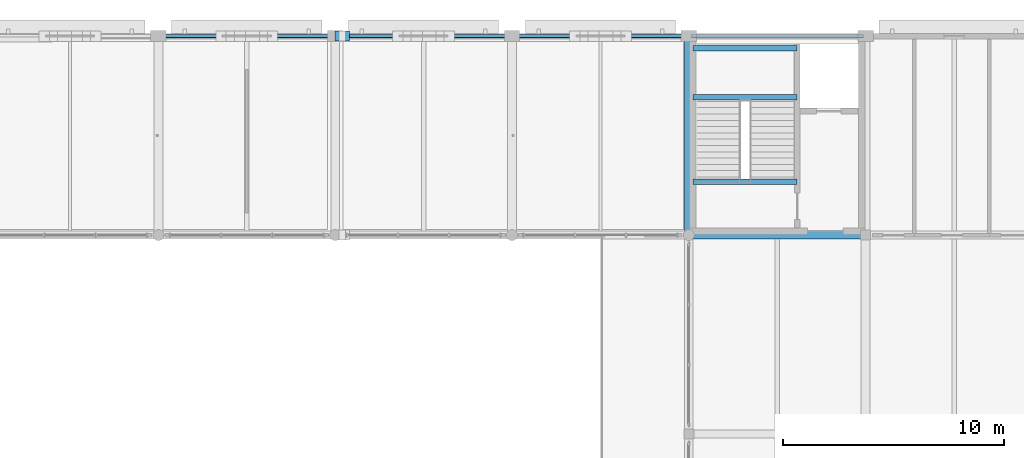
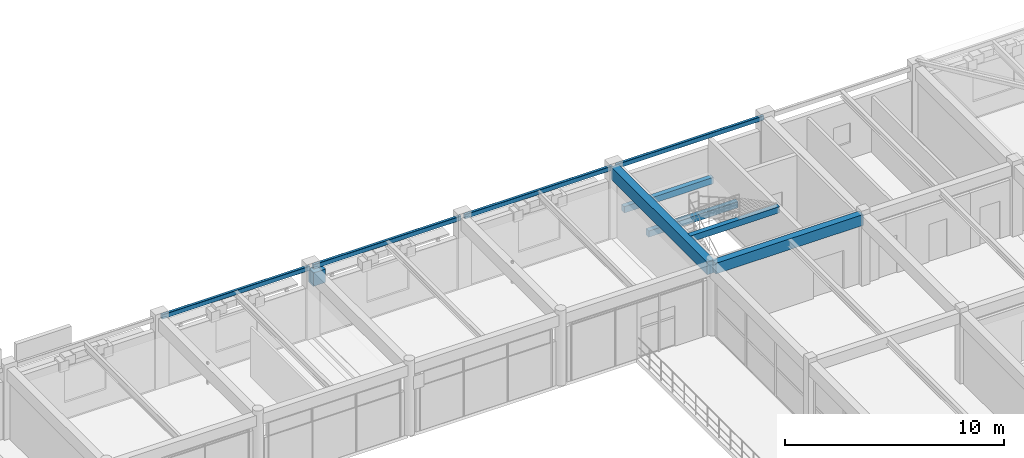
# One storey, part 61 of 126: 10 beams.
"""IFC4 building model written with IfcOpenShell, lengths in metres."""

from ifc_helpers import new_model, si_unit, direction, frame, origin, origin_2d, place, context, subcontext, project, spatial, rectangle, hollow_rectangle, extrude, material, material_profile, profile_set, type_object, element, save


model = new_model("IFC4")

# Units and contexts
model_context = context("Model", 3, precision=1e-05, world=origin(), true_north=direction((0.0, 1.0)))
body_context = subcontext(model_context, "Body", "Model", "MODEL_VIEW")
ifc_project = project(units=[si_unit("LENGTHUNIT", "METRE"), si_unit("AREAUNIT", "SQUARE_METRE"), si_unit("VOLUMEUNIT", "CUBIC_METRE"), si_unit("PLANEANGLEUNIT", "RADIAN"), si_unit("MASSUNIT", "GRAM", prefix="KILO")], contexts=[model_context])

# Site, building, storey
site_placement = place(None, origin())
site = spatial("IfcSite", under=ifc_project, at=site_placement, CompositionType="ELEMENT")
building_placement = place(site_placement, origin())
building = spatial("IfcBuilding", under=site, at=building_placement, Name="Varnabhumi Central Station", CompositionType="ELEMENT")
storey_placement = place(building_placement, frame((0.0, 0.0, 16.199951171875)))
storey = spatial("IfcBuildingStorey", under=building, at=storey_placement, Name="L03", CompositionType="ELEMENT", Elevation=16.199951171875)

# Beams
ifc_material_1 = material(Name="Structural steel E350", Category="steel")
ifc_material_profile_1 = material_profile(ifc_material_1, hollow_rectangle(XDim=0.14990234375, YDim=0.25, WallThickness=0.010009765625, InnerFilletRadius=0.010009765625, OuterFilletRadius=0.02001953125, at=origin_2d()), Name="Structural steel E350", Category="steel")
ifc_profile_set_1 = profile_set([ifc_material_profile_1], Name="Structural steel E350")
beam_type_1 = type_object("IfcBeamType", Name="BM-EDGE-RHS250", PredefinedType="SPANDREL", material=ifc_profile_set_1)
for number, where, z_axis, x_axis, name in (
    (1, (56.10009765625, 116.0, 3.824951171875), (1.0, 0.0, 0.0), (0.0, 1.0, 0.0), "Beam L03-P:8-9"),
    (2, (64.10009765625, 116.0, 3.824951171875), (1.0, 0.0, 0.0), (0.0, 1.0, 0.0), "Beam L03-P:9-10"),
    (3, (72.10009765625, 116.0, 3.824951171875), (1.0, 0.0, 0.0), (0.0, 1.0, 0.0), "Beam L03-P:10-11"),
    (4, (80.10009765625, 116.0, 3.824951171875), (1.0, 0.0, 0.0), (0.0, 1.0, 0.0), "Beam L03-P:11-12"),
):
    element("IfcBeam", number, at=place(storey_placement, frame(where, z_axis=z_axis, x_axis=x_axis)), inside=storey, type_object=beam_type_1, Name=name, PredefinedType="SPANDREL", context=body_context, shape_type="SweptSolid", body=[
        extrude(hollow_rectangle(XDim=0.14990234375, YDim=0.25, WallThickness=0.010009765625, InnerFilletRadius=0.010009765625, OuterFilletRadius=0.02001953125, at=origin_2d()), origin(), (0.0, 0.0, 1.0), 7.7998046875),
    ])
ifc_material_2 = material(Name="Concrete M35", Category="concrete")
ifc_material_profile_2 = material_profile(ifc_material_2, rectangle(XDim=0.25, YDim=0.35009765625, at=origin_2d()), Name="Concrete M35", Category="concrete")
ifc_profile_set_2 = profile_set([ifc_material_profile_2], Name="Concrete M35")
beam_type_2 = type_object("IfcBeamType", Name="BM-RC-250x350", PredefinedType="LINTEL", material=ifc_profile_set_2)
for number, where, z_axis, x_axis, name in (
    (5, (80.179931640625, 113.22509765625, 1.7451171875), (1.0, 0.0, 0.0), (0.0, 1.0, 0.0), "ST-N2 L03 Half Landing Support Beam 1"),
    (6, (80.179931640625, 115.4599609375, 1.7451171875), (1.0, 0.0, 0.0), (0.0, 1.0, 0.0), "ST-N2 L03 Half Landing Support Beam 2"),
    (7, (80.179931640625, 109.419921875, 3.775146484375), (1.0, 0.0, 0.0), (0.0, 1.0, 0.0), "ST-N2 L03 Floor Opening Trimmer Beam"),
):
    element("IfcBeam", number, at=place(storey_placement, frame(where, z_axis=z_axis, x_axis=x_axis)), inside=storey, type_object=beam_type_2, Name=name, PredefinedType="LINTEL", context=body_context, shape_type="SweptSolid", body=[
        extrude(rectangle(XDim=0.25, YDim=0.35009765625, at=origin_2d()), origin(), (0.0, 0.0, 1.0), 4.719970703125),
    ])
ifc_material_3 = material(Name="Concrete M40", Category="concrete")
ifc_material_profile_3 = material_profile(ifc_material_3, rectangle(XDim=0.35009765625, YDim=0.60009765625, at=origin_2d()), Name="Concrete M40", Category="concrete")
ifc_profile_set_3 = profile_set([ifc_material_profile_3], Name="Concrete M40")
beam_type_3 = type_object("IfcBeamType", Name="BM-RC-350x600", PredefinedType="BEAM", material=ifc_profile_set_3)
beam_1_placement = place(storey_placement, frame((80.10009765625, 107.0, 3.650146484375), z_axis=(1.0, 0.0, 0.0), x_axis=(0.0, 1.0, 0.0)))
element("IfcBeam", 8, at=beam_1_placement, inside=storey, type_object=beam_type_3, Name="Beam L03-N:11-12", PredefinedType="BEAM", context=body_context, shape_type="SweptSolid", body=[
    extrude(rectangle(XDim=0.35009765625, YDim=0.60009765625, at=origin_2d()), origin(), (0.0, 0.0, 1.0), 7.7998046875),
])
ifc_material_profile_4 = material_profile(ifc_material_3, rectangle(XDim=0.449951171875, YDim=0.75, at=origin_2d()), Name="Concrete M40", Category="concrete")
ifc_profile_set_4 = profile_set([ifc_material_profile_4], Name="Concrete M40")
beam_type_4 = type_object("IfcBeamType", Name="BM-RC-450x750", PredefinedType="BEAM", material=ifc_profile_set_4)
beam_2_placement = place(storey_placement, frame((64.0, 116.0, 3.2451171875), z_axis=(1.0, 0.0, 0.0), x_axis=(0.0, 1.0, 0.0)))
element("IfcBeam", 9, at=beam_2_placement, inside=storey, type_object=beam_type_4, Name="Movement Joint 650mm Corbel Seat L03-P-9", PredefinedType="BEAM", context=body_context, shape_type="SweptSolid", body=[
    extrude(rectangle(XDim=0.449951171875, YDim=0.75, at=origin_2d()), origin(), (0.0, 0.0, 1.0), 0.64990234375),
])
ifc_material_profile_5 = material_profile(ifc_material_3, rectangle(XDim=0.39990234375, YDim=0.699951171875, at=origin_2d()), Name="Concrete M40", Category="concrete")
ifc_profile_set_5 = profile_set([ifc_material_profile_5], Name="Concrete M40")
beam_type_5 = type_object("IfcBeamType", Name="BM-RC-700x400", PredefinedType="BEAM", material=ifc_profile_set_5)
beam_3_placement = place(storey_placement, frame((80.0, 107.10009765625, 3.60009765625), z_axis=(0.0, 1.0, 0.0), x_axis=(-1.0, 0.0, 0.0)))
element("IfcBeam", 10, at=beam_3_placement, inside=storey, type_object=beam_type_5, Name="Beam L03-11:N-P", PredefinedType="BEAM", context=body_context, shape_type="SweptSolid", body=[
    extrude(rectangle(XDim=0.39990234375, YDim=0.699951171875, at=origin_2d()), origin(), (0.0, 0.0, 1.0), 8.7998046875),
])

save(model, "model.ifc")
